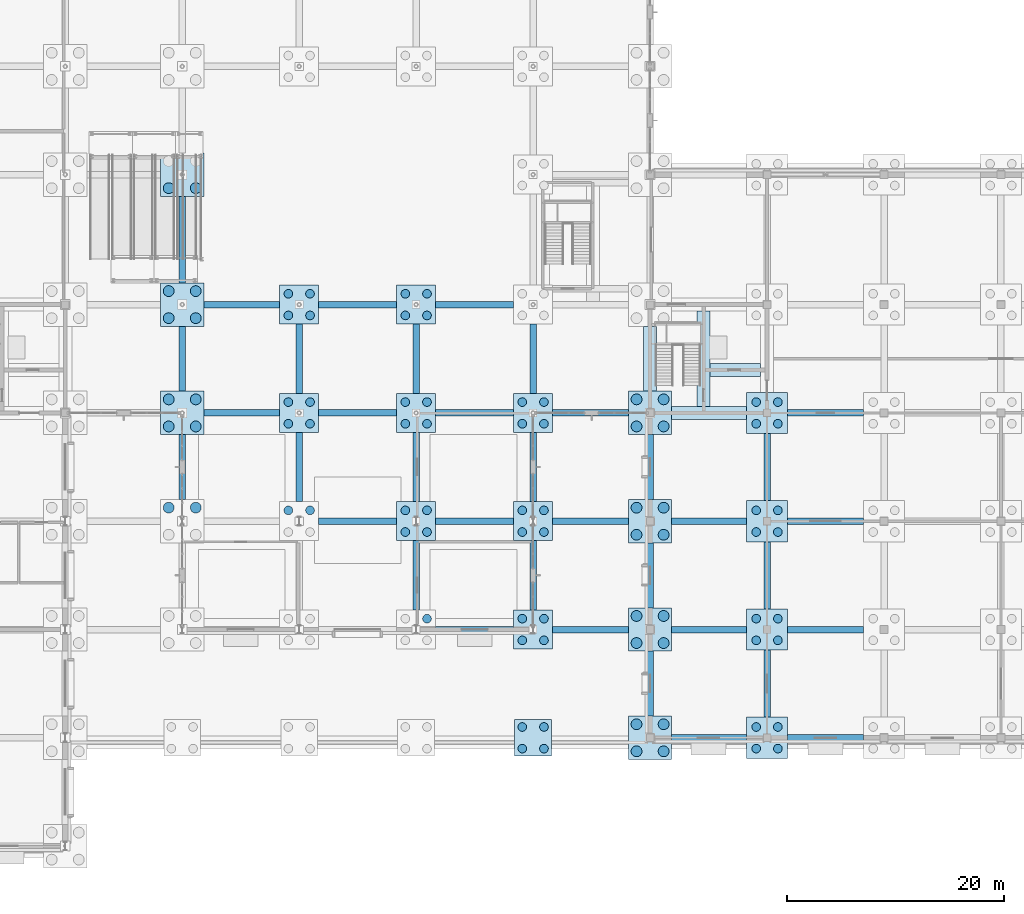
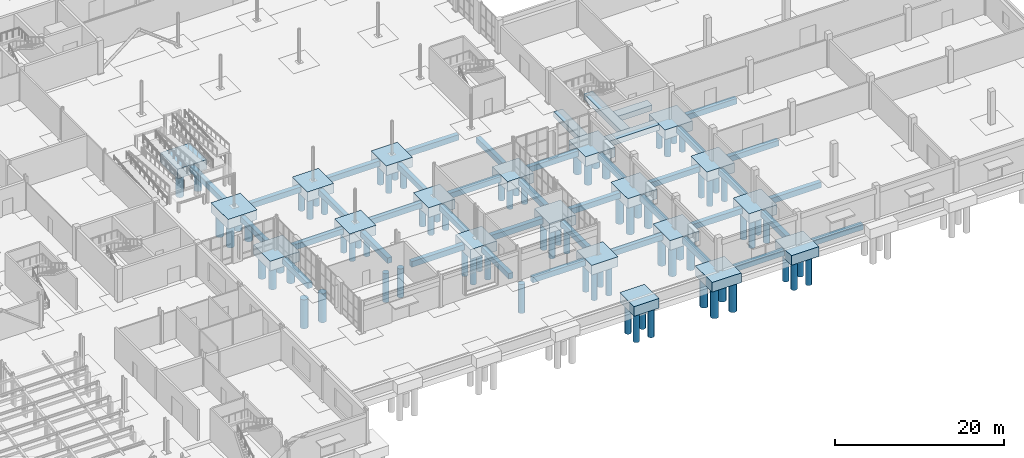
# One storey, part 3 of 73: 83 piles, 60 footings.
"""IFC4 building model written with IfcOpenShell, lengths in metres."""

from ifc_helpers import new_model, si_unit, direction, frame, origin, origin_2d, place, context, subcontext, project, spatial, rectangle, circle, extrude, material, material_profile, profile_set, type_object, element, save


model = new_model("IFC4")

# Units and contexts
model_context = context("Model", 3, precision=1e-05, world=origin(), true_north=direction((0.0, 1.0)))
body_context = subcontext(model_context, "Body", "Model", "MODEL_VIEW")
ifc_project = project(units=[si_unit("LENGTHUNIT", "METRE"), si_unit("AREAUNIT", "SQUARE_METRE"), si_unit("VOLUMEUNIT", "CUBIC_METRE"), si_unit("PLANEANGLEUNIT", "RADIAN"), si_unit("MASSUNIT", "GRAM", prefix="KILO")], contexts=[model_context])

# Site, building, storey
site_placement = place(None, origin())
site = spatial("IfcSite", under=ifc_project, at=site_placement, CompositionType="ELEMENT")
building_placement = place(site_placement, origin())
building = spatial("IfcBuilding", under=site, at=building_placement, Name="Tasgan Crest Museum", CompositionType="ELEMENT")
storey_placement = place(building_placement, origin())
storey = spatial("IfcBuildingStorey", under=building, at=storey_placement, Name="L00", CompositionType="ELEMENT", Elevation=0.0)

# Footings
ifc_material_1 = material(Name="Concrete C35/45", Category="concrete")
footing_type_1 = type_object("IfcFootingType", Name="FT-PC4-3400", PredefinedType="PILE_CAP", material=ifc_material_1)
footing_1_placement = place(storey_placement, frame((97.199951171875, 10.0, -1.39990234375), z_axis=(0.0, 0.0, 1.0), x_axis=(1.0, 0.0, 0.0)))
element("IfcFooting", 1, at=footing_1_placement, inside=storey, type_object=footing_type_1, Name="Forecourt pile cap 10/B", PredefinedType="PILE_CAP", context=body_context, shape_type="SweptSolid", body=[
    extrude(rectangle(XDim=3.39990234375, YDim=3.39990234375, at=origin_2d()), origin(), (0.0, 0.0, 1.0), 1.39990234375),
])
ifc_material_2 = material(Name="Concrete C35/45", Category="concrete")
footing_type_2 = type_object("IfcFootingType", Name="FT-PC4-3600", PredefinedType="PILE_CAP", material=ifc_material_2)
for number, where, z_axis, x_axis, name in (
    (2, (75.60009765625, 40.0, -1.39990234375), (0.0, 0.0, 1.0), (1.0, 0.0, 0.0), "Pile cap 8/E"),
    (3, (75.60009765625, 50.0, -1.39990234375), (0.0, 0.0, 1.0), (1.0, 0.0, 0.0), "Pile cap 8/F"),
    (4, (86.39990234375, 30.0, -1.39990234375), (0.0, 0.0, 1.0), (1.0, 0.0, 0.0), "Pile cap 9/D"),
    (5, (86.39990234375, 40.0, -1.39990234375), (0.0, 0.0, 1.0), (1.0, 0.0, 0.0), "Pile cap 9/E"),
    (6, (86.39990234375, 50.0, -1.39990234375), (0.0, 0.0, 1.0), (1.0, 0.0, 0.0), "Pile cap 9/F"),
    (7, (97.199951171875, 20.0, -1.39990234375), (0.0, 0.0, 1.0), (1.0, 0.0, 0.0), "Pile cap 10/C"),
    (8, (97.199951171875, 30.0, -1.39990234375), (0.0, 0.0, 1.0), (1.0, 0.0, 0.0), "Pile cap 10/D"),
    (9, (97.199951171875, 40.0, -1.39990234375), (0.0, 0.0, 1.0), (1.0, 0.0, 0.0), "Pile cap 10/E"),
):
    element("IfcFooting", number, at=place(storey_placement, frame(where, z_axis=z_axis, x_axis=x_axis)), inside=storey, type_object=footing_type_2, Name=name, PredefinedType="PILE_CAP", context=body_context, shape_type="SweptSolid", body=[
        extrude(rectangle(XDim=3.60009765625, YDim=3.60009765625, at=origin_2d()), origin(), (0.0, 0.0, 1.0), 1.39990234375),
    ])
ifc_material_3 = material(Name="Concrete C35/45", Category="concrete")
footing_type_3 = type_object("IfcFootingType", Name="FT-PC4-3800", PredefinedType="PILE_CAP", material=ifc_material_3)
for number, where, z_axis, x_axis, name in (
    (10, (118.800048828125, 10.0, -1.39990234375), (0.0, 0.0, 1.0), (1.0, 0.0, 0.0), "Pile cap 12/B"),
    (11, (118.800048828125, 20.0, -1.39990234375), (0.0, 0.0, 1.0), (1.0, 0.0, 0.0), "Pile cap 12/C"),
    (12, (118.800048828125, 30.0, -1.39990234375), (0.0, 0.0, 1.0), (1.0, 0.0, 0.0), "Pile cap 12/D"),
    (13, (118.800048828125, 40.0, -1.39990234375), (0.0, 0.0, 1.0), (1.0, 0.0, 0.0), "Pile cap 12/E"),
):
    element("IfcFooting", number, at=place(storey_placement, frame(where, z_axis=z_axis, x_axis=x_axis)), inside=storey, type_object=footing_type_3, Name=name, PredefinedType="PILE_CAP", context=body_context, shape_type="SweptSolid", body=[
        extrude(rectangle(XDim=3.800048828125, YDim=3.800048828125, at=origin_2d()), origin(), (0.0, 0.0, 1.0), 1.39990234375),
    ])
ifc_material_4 = material(Name="Concrete C35/45", Category="concrete")
footing_type_4 = type_object("IfcFootingType", Name="FT-PC4-4000", PredefinedType="PILE_CAP", material=ifc_material_4)
for number, where, z_axis, x_axis, name in (
    (14, (64.800048828125, 40.0, -1.39990234375), (0.0, 0.0, 1.0), (1.0, 0.0, 0.0), "Pile cap 7/E"),
    (15, (64.800048828125, 50.0, -1.39990234375), (0.0, 0.0, 1.0), (1.0, 0.0, 0.0), "Pile cap 7/F"),
    (16, (64.800048828125, 62.0, -1.39990234375), (0.0, 0.0, 1.0), (1.0, 0.0, 0.0), "Pile cap 7/G"),
    (17, (108.0, 10.0, -1.39990234375), (0.0, 0.0, 1.0), (1.0, 0.0, 0.0), "Pile cap 11/B"),
    (18, (108.0, 20.0, -1.39990234375), (0.0, 0.0, 1.0), (1.0, 0.0, 0.0), "Pile cap 11/C"),
    (19, (108.0, 30.0, -1.39990234375), (0.0, 0.0, 1.0), (1.0, 0.0, 0.0), "Pile cap 11/D"),
    (20, (108.0, 40.0, -1.39990234375), (0.0, 0.0, 1.0), (1.0, 0.0, 0.0), "Pile cap 11/E"),
):
    element("IfcFooting", number, at=place(storey_placement, frame(where, z_axis=z_axis, x_axis=x_axis)), inside=storey, type_object=footing_type_4, Name=name, PredefinedType="PILE_CAP", context=body_context, shape_type="SweptSolid", body=[
        extrude(rectangle(XDim=4.0, YDim=4.0, at=origin_2d()), origin(), (0.0, 0.0, 1.0), 1.39990234375),
    ])
ifc_material_5 = material(Name="Concrete C35/45", Category="concrete")
ifc_material_profile_1 = material_profile(ifc_material_5, rectangle(XDim=1.199951171875, YDim=0.800048828125, at=origin_2d()), Name="SF 1200x800")
ifc_profile_set_1 = profile_set([ifc_material_profile_1], Name="Concrete C35/45")
footing_type_5 = type_object("IfcFootingType", Name="FT-SF-1200X800", PredefinedType="STRIP_FOOTING", material=ifc_profile_set_1)
footing_2_placement = place(storey_placement, frame((112.949951171875, 40.60009765625, -0.39990234375), z_axis=(0.0, 1.0, 0.0), x_axis=(-1.0, 0.0, 0.0)))
element("IfcFooting", 21, at=footing_2_placement, inside=storey, type_object=footing_type_5, Name="East Conservation Core dividing strip footing", PredefinedType="STRIP_FOOTING", context=body_context, shape_type="SweptSolid", body=[
    extrude(rectangle(XDim=1.199951171875, YDim=0.800048828125, at=origin_2d()), origin(), (0.0, 0.0, 1.0), 8.7998046875),
])
footing_3_placement = place(storey_placement, frame((113.550048828125, 43.949951171875, -0.39990234375), z_axis=(1.0, 0.0, 0.0), x_axis=(0.0, 1.0, 0.0)))
element("IfcFooting", 22, at=footing_3_placement, inside=storey, type_object=footing_type_5, Name="East Conservation Core shaft strip footing", PredefinedType="STRIP_FOOTING", context=body_context, shape_type="SweptSolid", body=[
    extrude(rectangle(XDim=1.199951171875, YDim=0.800048828125, at=origin_2d()), origin(), (0.0, 0.0, 1.0), 4.64990234375),
])
footing_4_placement = place(storey_placement, frame((110.0, 40.0, -0.39990234375), z_axis=(1.0, 0.0, 0.0), x_axis=(0.0, 1.0, 0.0)))
element("IfcFooting", 23, at=footing_4_placement, inside=storey, type_object=footing_type_5, Name="East Conservation Core S strip footing", PredefinedType="STRIP_FOOTING", context=body_context, shape_type="SweptSolid", body=[
    extrude(rectangle(XDim=1.199951171875, YDim=0.800048828125, at=origin_2d()), origin(), (0.0, 0.0, 1.0), 6.89990234375),
])
footing_5_placement = place(storey_placement, frame((108.0, 42.0, -0.39990234375), z_axis=(0.0, 1.0, 0.0), x_axis=(-1.0, 0.0, 0.0)))
element("IfcFooting", 24, at=footing_5_placement, inside=storey, type_object=footing_type_5, Name="East Conservation Core W strip footing", PredefinedType="STRIP_FOOTING", context=body_context, shape_type="SweptSolid", body=[
    extrude(rectangle(XDim=1.199951171875, YDim=0.800048828125, at=origin_2d()), origin(), (0.0, 0.0, 1.0), 6.0),
])
ifc_material_6 = material(Name="Concrete C35/45", Category="concrete")
ifc_material_profile_2 = material_profile(ifc_material_6, rectangle(XDim=0.60009765625, YDim=0.800048828125, at=origin_2d()), Name="TB 600x800")
ifc_profile_set_2 = profile_set([ifc_material_profile_2], Name="Concrete C35/45")
footing_type_6 = type_object("IfcFootingType", Name="FT-TB-600X800", PredefinedType="FOOTING_BEAM", material=ifc_profile_set_2)
footing_6_placement = place(storey_placement, frame((110.0, 10.0, -0.550048828125), z_axis=(1.0, 0.0, 0.0), x_axis=(0.0, 1.0, 0.0)))
element("IfcFooting", 25, at=footing_6_placement, inside=storey, type_object=footing_type_6, Name="Ground tie beam B 108.0-118.8", PredefinedType="FOOTING_BEAM", context=body_context, shape_type="SweptSolid", body=[
    extrude(rectangle(XDim=0.60009765625, YDim=0.800048828125, at=origin_2d()), origin(), (0.0, 0.0, 1.0), 6.89990234375),
])
footing_7_placement = place(storey_placement, frame((120.699951171875, 10.0, -0.550048828125), z_axis=(1.0, 0.0, 0.0), x_axis=(0.0, 1.0, 0.0)))
element("IfcFooting", 26, at=footing_7_placement, inside=storey, type_object=footing_type_6, Name="Ground tie beam B 118.8-129.6", PredefinedType="FOOTING_BEAM", context=body_context, shape_type="SweptSolid", body=[
    extrude(rectangle(XDim=0.60009765625, YDim=0.800048828125, at=origin_2d()), origin(), (0.0, 0.0, 1.0), 7.0),
])
footing_8_placement = place(storey_placement, frame((88.199951171875, 20.0, -0.550048828125), z_axis=(1.0, 0.0, 0.0), x_axis=(0.0, 1.0, 0.0)))
element("IfcFooting", 27, at=footing_8_placement, inside=storey, type_object=footing_type_6, Name="Ground tie beam C 86.4-97.2", PredefinedType="FOOTING_BEAM", context=body_context, shape_type="SweptSolid", body=[
    extrude(rectangle(XDim=0.60009765625, YDim=0.800048828125, at=origin_2d()), origin(), (0.0, 0.0, 1.0), 7.199951171875),
])
footing_9_placement = place(storey_placement, frame((99.0, 20.0, -0.550048828125), z_axis=(1.0, 0.0, 0.0), x_axis=(0.0, 1.0, 0.0)))
element("IfcFooting", 28, at=footing_9_placement, inside=storey, type_object=footing_type_6, Name="Ground tie beam C 97.2-108.0", PredefinedType="FOOTING_BEAM", context=body_context, shape_type="SweptSolid", body=[
    extrude(rectangle(XDim=0.60009765625, YDim=0.800048828125, at=origin_2d()), origin(), (0.0, 0.0, 1.0), 7.0),
])
footing_10_placement = place(storey_placement, frame((110.0, 20.0, -0.550048828125), z_axis=(1.0, 0.0, 0.0), x_axis=(0.0, 1.0, 0.0)))
element("IfcFooting", 29, at=footing_10_placement, inside=storey, type_object=footing_type_6, Name="Ground tie beam C 108.0-118.8", PredefinedType="FOOTING_BEAM", context=body_context, shape_type="SweptSolid", body=[
    extrude(rectangle(XDim=0.60009765625, YDim=0.800048828125, at=origin_2d()), origin(), (0.0, 0.0, 1.0), 6.89990234375),
])
footing_11_placement = place(storey_placement, frame((120.699951171875, 20.0, -0.550048828125), z_axis=(1.0, 0.0, 0.0), x_axis=(0.0, 1.0, 0.0)))
element("IfcFooting", 30, at=footing_11_placement, inside=storey, type_object=footing_type_6, Name="Ground tie beam C 118.8-129.6", PredefinedType="FOOTING_BEAM", context=body_context, shape_type="SweptSolid", body=[
    extrude(rectangle(XDim=0.60009765625, YDim=0.800048828125, at=origin_2d()), origin(), (0.0, 0.0, 1.0), 7.0),
])
footing_12_placement = place(storey_placement, frame((77.39990234375, 30.0, -0.550048828125), z_axis=(1.0, 0.0, 0.0), x_axis=(0.0, 1.0, 0.0)))
element("IfcFooting", 31, at=footing_12_placement, inside=storey, type_object=footing_type_6, Name="Ground tie beam D 75.6-86.4", PredefinedType="FOOTING_BEAM", context=body_context, shape_type="SweptSolid", body=[
    extrude(rectangle(XDim=0.60009765625, YDim=0.800048828125, at=origin_2d()), origin(), (0.0, 0.0, 1.0), 7.2001953125),
])
footing_13_placement = place(storey_placement, frame((88.199951171875, 30.0, -0.550048828125), z_axis=(1.0, 0.0, 0.0), x_axis=(0.0, 1.0, 0.0)))
element("IfcFooting", 32, at=footing_13_placement, inside=storey, type_object=footing_type_6, Name="Ground tie beam D 86.4-97.2", PredefinedType="FOOTING_BEAM", context=body_context, shape_type="SweptSolid", body=[
    extrude(rectangle(XDim=0.60009765625, YDim=0.800048828125, at=origin_2d()), origin(), (0.0, 0.0, 1.0), 7.199951171875),
])
footing_14_placement = place(storey_placement, frame((99.0, 30.0, -0.550048828125), z_axis=(1.0, 0.0, 0.0), x_axis=(0.0, 1.0, 0.0)))
element("IfcFooting", 33, at=footing_14_placement, inside=storey, type_object=footing_type_6, Name="Ground tie beam D 97.2-108.0", PredefinedType="FOOTING_BEAM", context=body_context, shape_type="SweptSolid", body=[
    extrude(rectangle(XDim=0.60009765625, YDim=0.800048828125, at=origin_2d()), origin(), (0.0, 0.0, 1.0), 7.0),
])
footing_15_placement = place(storey_placement, frame((110.0, 30.0, -0.550048828125), z_axis=(1.0, 0.0, 0.0), x_axis=(0.0, 1.0, 0.0)))
element("IfcFooting", 34, at=footing_15_placement, inside=storey, type_object=footing_type_6, Name="Ground tie beam D 108.0-118.8", PredefinedType="FOOTING_BEAM", context=body_context, shape_type="SweptSolid", body=[
    extrude(rectangle(XDim=0.60009765625, YDim=0.800048828125, at=origin_2d()), origin(), (0.0, 0.0, 1.0), 6.89990234375),
])
for number, where, z_axis, x_axis, name in (
    (35, (120.699951171875, 30.0, -0.550048828125), (1.0, 0.0, 0.0), (0.0, 1.0, 0.0), "Ground tie beam D 118.8-129.6"),
    (36, (66.800048828125, 40.0, -0.550048828125), (1.0, 0.0, 0.0), (0.0, 1.0, 0.0), "Ground tie beam E 64.8-75.6"),
):
    element("IfcFooting", number, at=place(storey_placement, frame(where, z_axis=z_axis, x_axis=x_axis)), inside=storey, type_object=footing_type_6, Name=name, PredefinedType="FOOTING_BEAM", context=body_context, shape_type="SweptSolid", body=[
        extrude(rectangle(XDim=0.60009765625, YDim=0.800048828125, at=origin_2d()), origin(), (0.0, 0.0, 1.0), 7.0),
    ])
footing_16_placement = place(storey_placement, frame((77.39990234375, 40.0, -0.550048828125), z_axis=(1.0, 0.0, 0.0), x_axis=(0.0, 1.0, 0.0)))
element("IfcFooting", 37, at=footing_16_placement, inside=storey, type_object=footing_type_6, Name="Ground tie beam E 75.6-86.4", PredefinedType="FOOTING_BEAM", context=body_context, shape_type="SweptSolid", body=[
    extrude(rectangle(XDim=0.60009765625, YDim=0.800048828125, at=origin_2d()), origin(), (0.0, 0.0, 1.0), 7.2001953125),
])
footing_17_placement = place(storey_placement, frame((88.199951171875, 40.0, -0.550048828125), z_axis=(1.0, 0.0, 0.0), x_axis=(0.0, 1.0, 0.0)))
element("IfcFooting", 38, at=footing_17_placement, inside=storey, type_object=footing_type_6, Name="Ground tie beam E 86.4-97.2", PredefinedType="FOOTING_BEAM", context=body_context, shape_type="SweptSolid", body=[
    extrude(rectangle(XDim=0.60009765625, YDim=0.800048828125, at=origin_2d()), origin(), (0.0, 0.0, 1.0), 7.199951171875),
])
for number, where, z_axis, x_axis, name in (
    (39, (99.0, 40.0, -0.550048828125), (1.0, 0.0, 0.0), (0.0, 1.0, 0.0), "Ground tie beam E 97.2-108.0"),
    (40, (120.699951171875, 40.0, -0.550048828125), (1.0, 0.0, 0.0), (0.0, 1.0, 0.0), "Ground tie beam E 118.8-129.6"),
    (41, (66.800048828125, 50.0, -0.550048828125), (1.0, 0.0, 0.0), (0.0, 1.0, 0.0), "Ground tie beam F 64.8-75.6"),
):
    element("IfcFooting", number, at=place(storey_placement, frame(where, z_axis=z_axis, x_axis=x_axis)), inside=storey, type_object=footing_type_6, Name=name, PredefinedType="FOOTING_BEAM", context=body_context, shape_type="SweptSolid", body=[
        extrude(rectangle(XDim=0.60009765625, YDim=0.800048828125, at=origin_2d()), origin(), (0.0, 0.0, 1.0), 7.0),
    ])
footing_18_placement = place(storey_placement, frame((77.39990234375, 50.0, -0.550048828125), z_axis=(1.0, 0.0, 0.0), x_axis=(0.0, 1.0, 0.0)))
element("IfcFooting", 42, at=footing_18_placement, inside=storey, type_object=footing_type_6, Name="Ground tie beam F 75.6-86.4", PredefinedType="FOOTING_BEAM", context=body_context, shape_type="SweptSolid", body=[
    extrude(rectangle(XDim=0.60009765625, YDim=0.800048828125, at=origin_2d()), origin(), (0.0, 0.0, 1.0), 7.2001953125),
])
footing_19_placement = place(storey_placement, frame((88.199951171875, 50.0, -0.550048828125), z_axis=(1.0, 0.0, 0.0), x_axis=(0.0, 1.0, 0.0)))
element("IfcFooting", 43, at=footing_19_placement, inside=storey, type_object=footing_type_6, Name="Ground tie beam F 86.4-97.2", PredefinedType="FOOTING_BEAM", context=body_context, shape_type="SweptSolid", body=[
    extrude(rectangle(XDim=0.60009765625, YDim=0.800048828125, at=origin_2d()), origin(), (0.0, 0.0, 1.0), 7.199951171875),
])
for number, where, z_axis, x_axis, name in (
    (44, (64.800048828125, 32.0, -0.550048828125), (0.0, 1.0, 0.0), (-1.0, 0.0, 0.0), "Ground tie beam 7 30.0-40.0"),
    (45, (64.800048828125, 42.0, -0.550048828125), (0.0, 1.0, 0.0), (-1.0, 0.0, 0.0), "Ground tie beam 7 40.0-50.0"),
):
    element("IfcFooting", number, at=place(storey_placement, frame(where, z_axis=z_axis, x_axis=x_axis)), inside=storey, type_object=footing_type_6, Name=name, PredefinedType="FOOTING_BEAM", context=body_context, shape_type="SweptSolid", body=[
        extrude(rectangle(XDim=0.60009765625, YDim=0.800048828125, at=origin_2d()), origin(), (0.0, 0.0, 1.0), 6.0),
    ])
footing_20_placement = place(storey_placement, frame((64.800048828125, 52.0, -0.550048828125), z_axis=(0.0, 1.0, 0.0), x_axis=(-1.0, 0.0, 0.0)))
element("IfcFooting", 46, at=footing_20_placement, inside=storey, type_object=footing_type_6, Name="Ground tie beam 7 50.0-62.0", PredefinedType="FOOTING_BEAM", context=body_context, shape_type="SweptSolid", body=[
    extrude(rectangle(XDim=0.60009765625, YDim=0.800048828125, at=origin_2d()), origin(), (0.0, 0.0, 1.0), 8.0),
])
for number, where, z_axis, x_axis, name in (
    (47, (75.60009765625, 31.800048828125, -0.550048828125), (0.0, 1.0, 0.0), (-1.0, 0.0, 0.0), "Ground tie beam 8 30.0-40.0"),
    (48, (75.60009765625, 41.800048828125, -0.550048828125), (0.0, 1.0, 0.0), (-1.0, 0.0, 0.0), "Ground tie beam 8 40.0-50.0"),
    (49, (86.39990234375, 21.800048828125, -0.550048828125), (0.0, 1.0, 0.0), (-1.0, 0.0, 0.0), "Ground tie beam 9 20.0-30.0"),
    (50, (86.39990234375, 31.800048828125, -0.550048828125), (0.0, 1.0, 0.0), (-1.0, 0.0, 0.0), "Ground tie beam 9 30.0-40.0"),
    (51, (86.39990234375, 41.800048828125, -0.550048828125), (0.0, 1.0, 0.0), (-1.0, 0.0, 0.0), "Ground tie beam 9 40.0-50.0"),
    (52, (97.199951171875, 21.800048828125, -0.550048828125), (0.0, 1.0, 0.0), (-1.0, 0.0, 0.0), "Ground tie beam 10 20.0-30.0"),
    (53, (97.199951171875, 31.800048828125, -0.550048828125), (0.0, 1.0, 0.0), (-1.0, 0.0, 0.0), "Ground tie beam 10 30.0-40.0"),
    (54, (97.199951171875, 41.800048828125, -0.550048828125), (0.0, 1.0, 0.0), (-1.0, 0.0, 0.0), "Ground tie beam 10 40.0-50.0"),
):
    element("IfcFooting", number, at=place(storey_placement, frame(where, z_axis=z_axis, x_axis=x_axis)), inside=storey, type_object=footing_type_6, Name=name, PredefinedType="FOOTING_BEAM", context=body_context, shape_type="SweptSolid", body=[
        extrude(rectangle(XDim=0.60009765625, YDim=0.800048828125, at=origin_2d()), origin(), (0.0, 0.0, 1.0), 6.39990234375),
    ])
for number, where, z_axis, x_axis, name in (
    (55, (108.0, 12.0, -0.550048828125), (0.0, 1.0, 0.0), (-1.0, 0.0, 0.0), "Ground tie beam 11 10.0-20.0"),
    (56, (108.0, 22.0, -0.550048828125), (0.0, 1.0, 0.0), (-1.0, 0.0, 0.0), "Ground tie beam 11 20.0-30.0"),
    (57, (108.0, 32.0, -0.550048828125), (0.0, 1.0, 0.0), (-1.0, 0.0, 0.0), "Ground tie beam 11 30.0-40.0"),
):
    element("IfcFooting", number, at=place(storey_placement, frame(where, z_axis=z_axis, x_axis=x_axis)), inside=storey, type_object=footing_type_6, Name=name, PredefinedType="FOOTING_BEAM", context=body_context, shape_type="SweptSolid", body=[
        extrude(rectangle(XDim=0.60009765625, YDim=0.800048828125, at=origin_2d()), origin(), (0.0, 0.0, 1.0), 6.0),
    ])
for number, where, z_axis, x_axis, name in (
    (58, (118.800048828125, 11.89990234375, -0.550048828125), (0.0, 1.0, 0.0), (-1.0, 0.0, 0.0), "Ground tie beam 12 10.0-20.0"),
    (59, (118.800048828125, 21.89990234375, -0.550048828125), (0.0, 1.0, 0.0), (-1.0, 0.0, 0.0), "Ground tie beam 12 20.0-30.0"),
    (60, (118.800048828125, 31.89990234375, -0.550048828125), (0.0, 1.0, 0.0), (-1.0, 0.0, 0.0), "Ground tie beam 12 30.0-40.0"),
):
    element("IfcFooting", number, at=place(storey_placement, frame(where, z_axis=z_axis, x_axis=x_axis)), inside=storey, type_object=footing_type_6, Name=name, PredefinedType="FOOTING_BEAM", context=body_context, shape_type="SweptSolid", body=[
        extrude(rectangle(XDim=0.60009765625, YDim=0.800048828125, at=origin_2d()), origin(), (0.0, 0.0, 1.0), 6.2001953125),
    ])

# Piles
ifc_material_7 = material(Name="Concrete C35/45", Category="concrete")
ifc_material_profile_3 = material_profile(ifc_material_7, circle(Radius=0.5, at=origin_2d()), Name="PILE D1000")
ifc_profile_set_3 = profile_set([ifc_material_profile_3], Name="Concrete C35/45")
pile_type_1 = type_object("IfcPileType", Name="PILE-B1000", PredefinedType="BORED", material=ifc_profile_set_3)
for number, where, z_axis, x_axis, name in (
    (61, (63.550048828125, 31.25, -1.39990234375), (0.0, 0.0, -1.0), (1.0, 0.0, 0.0), "Bored pile 7/D-P3"),
    (62, (66.050048828125, 31.25, -1.39990234375), (0.0, 0.0, -1.0), (1.0, 0.0, 0.0), "Bored pile 7/D-P4"),
):
    element("IfcPile", number, at=place(storey_placement, frame(where, z_axis=z_axis, x_axis=x_axis)), inside=storey, type_object=pile_type_1, Name=name, PredefinedType="BORED", context=body_context, shape_type="SweptSolid", body=[
        extrude(circle(Radius=0.5, at=origin_2d()), origin(), (0.0, 0.0, 1.0), 4.199951171875),
    ])
for number, where, z_axis, x_axis, name in (
    (63, (63.550048828125, 38.75, -1.39990234375), (0.0, 0.0, -1.0), (1.0, 0.0, 0.0), "Bored pile 7/E-P1"),
    (64, (66.050048828125, 38.75, -1.39990234375), (0.0, 0.0, -1.0), (1.0, 0.0, 0.0), "Bored pile 7/E-P2"),
    (65, (63.550048828125, 41.25, -1.39990234375), (0.0, 0.0, -1.0), (1.0, 0.0, 0.0), "Bored pile 7/E-P3"),
    (66, (66.050048828125, 41.25, -1.39990234375), (0.0, 0.0, -1.0), (1.0, 0.0, 0.0), "Bored pile 7/E-P4"),
    (67, (63.550048828125, 48.75, -1.39990234375), (0.0, 0.0, -1.0), (1.0, 0.0, 0.0), "Bored pile 7/F-P1"),
    (68, (66.050048828125, 48.75, -1.39990234375), (0.0, 0.0, -1.0), (1.0, 0.0, 0.0), "Bored pile 7/F-P2"),
    (69, (63.550048828125, 51.25, -1.39990234375), (0.0, 0.0, -1.0), (1.0, 0.0, 0.0), "Bored pile 7/F-P3"),
    (70, (66.050048828125, 51.25, -1.39990234375), (0.0, 0.0, -1.0), (1.0, 0.0, 0.0), "Bored pile 7/F-P4"),
    (71, (63.550048828125, 60.75, -1.39990234375), (0.0, 0.0, -1.0), (1.0, 0.0, 0.0), "Bored pile 7/G-P1"),
    (72, (66.050048828125, 60.75, -1.39990234375), (0.0, 0.0, -1.0), (1.0, 0.0, 0.0), "Bored pile 7/G-P2"),
):
    element("IfcPile", number, at=place(storey_placement, frame(where, z_axis=z_axis, x_axis=x_axis)), inside=storey, type_object=pile_type_1, Name=name, PredefinedType="BORED", context=body_context, shape_type="SweptSolid", body=[
        extrude(circle(Radius=0.5, at=origin_2d()), origin(), (0.0, 0.0, 1.0), 3.10009765625),
    ])
for number, where, z_axis, x_axis, name in (
    (73, (106.75, 8.75, -1.39990234375), (0.0, 0.0, -1.0), (1.0, 0.0, 0.0), "Bored pile 11/B-P1"),
    (74, (109.25, 8.75, -1.39990234375), (0.0, 0.0, -1.0), (1.0, 0.0, 0.0), "Bored pile 11/B-P2"),
    (75, (106.75, 11.25, -1.39990234375), (0.0, 0.0, -1.0), (1.0, 0.0, 0.0), "Bored pile 11/B-P3"),
    (76, (109.25, 11.25, -1.39990234375), (0.0, 0.0, -1.0), (1.0, 0.0, 0.0), "Bored pile 11/B-P4"),
    (77, (106.75, 18.75, -1.39990234375), (0.0, 0.0, -1.0), (1.0, 0.0, 0.0), "Bored pile 11/C-P1"),
    (78, (109.25, 18.75, -1.39990234375), (0.0, 0.0, -1.0), (1.0, 0.0, 0.0), "Bored pile 11/C-P2"),
    (79, (106.75, 21.25, -1.39990234375), (0.0, 0.0, -1.0), (1.0, 0.0, 0.0), "Bored pile 11/C-P3"),
    (80, (109.25, 21.25, -1.39990234375), (0.0, 0.0, -1.0), (1.0, 0.0, 0.0), "Bored pile 11/C-P4"),
    (81, (106.75, 28.75, -1.39990234375), (0.0, 0.0, -1.0), (1.0, 0.0, 0.0), "Bored pile 11/D-P1"),
    (82, (109.25, 28.75, -1.39990234375), (0.0, 0.0, -1.0), (1.0, 0.0, 0.0), "Bored pile 11/D-P2"),
    (83, (106.75, 31.25, -1.39990234375), (0.0, 0.0, -1.0), (1.0, 0.0, 0.0), "Bored pile 11/D-P3"),
    (84, (109.25, 31.25, -1.39990234375), (0.0, 0.0, -1.0), (1.0, 0.0, 0.0), "Bored pile 11/D-P4"),
):
    element("IfcPile", number, at=place(storey_placement, frame(where, z_axis=z_axis, x_axis=x_axis)), inside=storey, type_object=pile_type_1, Name=name, PredefinedType="BORED", context=body_context, shape_type="SweptSolid", body=[
        extrude(circle(Radius=0.5, at=origin_2d()), origin(), (0.0, 0.0, 1.0), 4.199951171875),
    ])
for number, where, z_axis, x_axis, name in (
    (85, (106.75, 38.75, -1.39990234375), (0.0, 0.0, -1.0), (1.0, 0.0, 0.0), "Bored pile 11/E-P1"),
    (86, (109.25, 38.75, -1.39990234375), (0.0, 0.0, -1.0), (1.0, 0.0, 0.0), "Bored pile 11/E-P2"),
    (87, (106.75, 41.25, -1.39990234375), (0.0, 0.0, -1.0), (1.0, 0.0, 0.0), "Bored pile 11/E-P3"),
    (88, (109.25, 41.25, -1.39990234375), (0.0, 0.0, -1.0), (1.0, 0.0, 0.0), "Bored pile 11/E-P4"),
):
    element("IfcPile", number, at=place(storey_placement, frame(where, z_axis=z_axis, x_axis=x_axis)), inside=storey, type_object=pile_type_1, Name=name, PredefinedType="BORED", context=body_context, shape_type="SweptSolid", body=[
        extrude(circle(Radius=0.5, at=origin_2d()), origin(), (0.0, 0.0, 1.0), 3.10009765625),
    ])
ifc_material_8 = material(Name="Concrete C35/45", Category="concrete")
ifc_material_profile_4 = material_profile(ifc_material_8, circle(Radius=0.39990234375, at=origin_2d()), Name="PILE D800")
ifc_profile_set_4 = profile_set([ifc_material_profile_4], Name="Concrete C35/45")
pile_type_2 = type_object("IfcPileType", Name="PILE-B800", PredefinedType="BORED", material=ifc_profile_set_4)
for number, where, z_axis, x_axis, name in (
    (89, (74.60009765625, 31.0, -1.39990234375), (0.0, 0.0, -1.0), (1.0, 0.0, 0.0), "Bored pile 8/D-P3"),
    (90, (76.60009765625, 31.0, -1.39990234375), (0.0, 0.0, -1.0), (1.0, 0.0, 0.0), "Bored pile 8/D-P4"),
):
    element("IfcPile", number, at=place(storey_placement, frame(where, z_axis=z_axis, x_axis=x_axis)), inside=storey, type_object=pile_type_2, Name=name, PredefinedType="BORED", context=body_context, shape_type="SweptSolid", body=[
        extrude(circle(Radius=0.39990234375, at=origin_2d()), origin(), (0.0, 0.0, 1.0), 4.199951171875),
    ])
for number, where, z_axis, x_axis, name in (
    (91, (74.60009765625, 39.0, -1.39990234375), (0.0, 0.0, -1.0), (1.0, 0.0, 0.0), "Bored pile 8/E-P1"),
    (92, (76.60009765625, 39.0, -1.39990234375), (0.0, 0.0, -1.0), (1.0, 0.0, 0.0), "Bored pile 8/E-P2"),
    (93, (74.60009765625, 41.0, -1.39990234375), (0.0, 0.0, -1.0), (1.0, 0.0, 0.0), "Bored pile 8/E-P3"),
    (94, (76.60009765625, 41.0, -1.39990234375), (0.0, 0.0, -1.0), (1.0, 0.0, 0.0), "Bored pile 8/E-P4"),
    (95, (74.60009765625, 49.0, -1.39990234375), (0.0, 0.0, -1.0), (1.0, 0.0, 0.0), "Bored pile 8/F-P1"),
    (96, (76.60009765625, 49.0, -1.39990234375), (0.0, 0.0, -1.0), (1.0, 0.0, 0.0), "Bored pile 8/F-P2"),
    (97, (74.60009765625, 51.0, -1.39990234375), (0.0, 0.0, -1.0), (1.0, 0.0, 0.0), "Bored pile 8/F-P3"),
    (98, (76.60009765625, 51.0, -1.39990234375), (0.0, 0.0, -1.0), (1.0, 0.0, 0.0), "Bored pile 8/F-P4"),
):
    element("IfcPile", number, at=place(storey_placement, frame(where, z_axis=z_axis, x_axis=x_axis)), inside=storey, type_object=pile_type_2, Name=name, PredefinedType="BORED", context=body_context, shape_type="SweptSolid", body=[
        extrude(circle(Radius=0.39990234375, at=origin_2d()), origin(), (0.0, 0.0, 1.0), 3.10009765625),
    ])
for number, where, z_axis, x_axis, name in (
    (99, (87.39990234375, 21.0, -1.39990234375), (0.0, 0.0, -1.0), (1.0, 0.0, 0.0), "Bored pile 9/C-P4"),
    (100, (85.39990234375, 29.0, -1.39990234375), (0.0, 0.0, -1.0), (1.0, 0.0, 0.0), "Bored pile 9/D-P1"),
    (101, (87.39990234375, 29.0, -1.39990234375), (0.0, 0.0, -1.0), (1.0, 0.0, 0.0), "Bored pile 9/D-P2"),
    (102, (85.39990234375, 31.0, -1.39990234375), (0.0, 0.0, -1.0), (1.0, 0.0, 0.0), "Bored pile 9/D-P3"),
    (103, (87.39990234375, 31.0, -1.39990234375), (0.0, 0.0, -1.0), (1.0, 0.0, 0.0), "Bored pile 9/D-P4"),
):
    element("IfcPile", number, at=place(storey_placement, frame(where, z_axis=z_axis, x_axis=x_axis)), inside=storey, type_object=pile_type_2, Name=name, PredefinedType="BORED", context=body_context, shape_type="SweptSolid", body=[
        extrude(circle(Radius=0.39990234375, at=origin_2d()), origin(), (0.0, 0.0, 1.0), 4.199951171875),
    ])
for number, where, z_axis, x_axis, name in (
    (104, (85.39990234375, 39.0, -1.39990234375), (0.0, 0.0, -1.0), (1.0, 0.0, 0.0), "Bored pile 9/E-P1"),
    (105, (87.39990234375, 39.0, -1.39990234375), (0.0, 0.0, -1.0), (1.0, 0.0, 0.0), "Bored pile 9/E-P2"),
    (106, (85.39990234375, 41.0, -1.39990234375), (0.0, 0.0, -1.0), (1.0, 0.0, 0.0), "Bored pile 9/E-P3"),
    (107, (87.39990234375, 41.0, -1.39990234375), (0.0, 0.0, -1.0), (1.0, 0.0, 0.0), "Bored pile 9/E-P4"),
    (108, (85.39990234375, 49.0, -1.39990234375), (0.0, 0.0, -1.0), (1.0, 0.0, 0.0), "Bored pile 9/F-P1"),
    (109, (87.39990234375, 49.0, -1.39990234375), (0.0, 0.0, -1.0), (1.0, 0.0, 0.0), "Bored pile 9/F-P2"),
    (110, (85.39990234375, 51.0, -1.39990234375), (0.0, 0.0, -1.0), (1.0, 0.0, 0.0), "Bored pile 9/F-P3"),
    (111, (87.39990234375, 51.0, -1.39990234375), (0.0, 0.0, -1.0), (1.0, 0.0, 0.0), "Bored pile 9/F-P4"),
):
    element("IfcPile", number, at=place(storey_placement, frame(where, z_axis=z_axis, x_axis=x_axis)), inside=storey, type_object=pile_type_2, Name=name, PredefinedType="BORED", context=body_context, shape_type="SweptSolid", body=[
        extrude(circle(Radius=0.39990234375, at=origin_2d()), origin(), (0.0, 0.0, 1.0), 3.10009765625),
    ])
for number, where, z_axis, x_axis, name in (
    (112, (96.199951171875, 19.0, -1.39990234375), (0.0, 0.0, -1.0), (1.0, 0.0, 0.0), "Bored pile 10/C-P1"),
    (113, (98.199951171875, 19.0, -1.39990234375), (0.0, 0.0, -1.0), (1.0, 0.0, 0.0), "Bored pile 10/C-P2"),
    (114, (96.199951171875, 21.0, -1.39990234375), (0.0, 0.0, -1.0), (1.0, 0.0, 0.0), "Bored pile 10/C-P3"),
    (115, (98.199951171875, 21.0, -1.39990234375), (0.0, 0.0, -1.0), (1.0, 0.0, 0.0), "Bored pile 10/C-P4"),
    (116, (96.199951171875, 29.0, -1.39990234375), (0.0, 0.0, -1.0), (1.0, 0.0, 0.0), "Bored pile 10/D-P1"),
    (117, (98.199951171875, 29.0, -1.39990234375), (0.0, 0.0, -1.0), (1.0, 0.0, 0.0), "Bored pile 10/D-P2"),
    (118, (96.199951171875, 31.0, -1.39990234375), (0.0, 0.0, -1.0), (1.0, 0.0, 0.0), "Bored pile 10/D-P3"),
    (119, (98.199951171875, 31.0, -1.39990234375), (0.0, 0.0, -1.0), (1.0, 0.0, 0.0), "Bored pile 10/D-P4"),
):
    element("IfcPile", number, at=place(storey_placement, frame(where, z_axis=z_axis, x_axis=x_axis)), inside=storey, type_object=pile_type_2, Name=name, PredefinedType="BORED", context=body_context, shape_type="SweptSolid", body=[
        extrude(circle(Radius=0.39990234375, at=origin_2d()), origin(), (0.0, 0.0, 1.0), 4.199951171875),
    ])
for number, where, z_axis, x_axis, name in (
    (120, (96.199951171875, 39.0, -1.39990234375), (0.0, 0.0, -1.0), (1.0, 0.0, 0.0), "Bored pile 10/E-P1"),
    (121, (98.199951171875, 39.0, -1.39990234375), (0.0, 0.0, -1.0), (1.0, 0.0, 0.0), "Bored pile 10/E-P2"),
    (122, (96.199951171875, 41.0, -1.39990234375), (0.0, 0.0, -1.0), (1.0, 0.0, 0.0), "Bored pile 10/E-P3"),
    (123, (98.199951171875, 41.0, -1.39990234375), (0.0, 0.0, -1.0), (1.0, 0.0, 0.0), "Bored pile 10/E-P4"),
):
    element("IfcPile", number, at=place(storey_placement, frame(where, z_axis=z_axis, x_axis=x_axis)), inside=storey, type_object=pile_type_2, Name=name, PredefinedType="BORED", context=body_context, shape_type="SweptSolid", body=[
        extrude(circle(Radius=0.39990234375, at=origin_2d()), origin(), (0.0, 0.0, 1.0), 3.10009765625),
    ])
for number, where, z_axis, x_axis, name in (
    (124, (117.800048828125, 9.0, -1.39990234375), (0.0, 0.0, -1.0), (1.0, 0.0, 0.0), "Bored pile 12/B-P1"),
    (125, (119.800048828125, 9.0, -1.39990234375), (0.0, 0.0, -1.0), (1.0, 0.0, 0.0), "Bored pile 12/B-P2"),
    (126, (117.800048828125, 11.0, -1.39990234375), (0.0, 0.0, -1.0), (1.0, 0.0, 0.0), "Bored pile 12/B-P3"),
    (127, (119.800048828125, 11.0, -1.39990234375), (0.0, 0.0, -1.0), (1.0, 0.0, 0.0), "Bored pile 12/B-P4"),
    (128, (117.800048828125, 19.0, -1.39990234375), (0.0, 0.0, -1.0), (1.0, 0.0, 0.0), "Bored pile 12/C-P1"),
    (129, (119.800048828125, 19.0, -1.39990234375), (0.0, 0.0, -1.0), (1.0, 0.0, 0.0), "Bored pile 12/C-P2"),
    (130, (117.800048828125, 21.0, -1.39990234375), (0.0, 0.0, -1.0), (1.0, 0.0, 0.0), "Bored pile 12/C-P3"),
    (131, (119.800048828125, 21.0, -1.39990234375), (0.0, 0.0, -1.0), (1.0, 0.0, 0.0), "Bored pile 12/C-P4"),
    (132, (117.800048828125, 29.0, -1.39990234375), (0.0, 0.0, -1.0), (1.0, 0.0, 0.0), "Bored pile 12/D-P1"),
    (133, (119.800048828125, 29.0, -1.39990234375), (0.0, 0.0, -1.0), (1.0, 0.0, 0.0), "Bored pile 12/D-P2"),
    (134, (117.800048828125, 31.0, -1.39990234375), (0.0, 0.0, -1.0), (1.0, 0.0, 0.0), "Bored pile 12/D-P3"),
    (135, (119.800048828125, 31.0, -1.39990234375), (0.0, 0.0, -1.0), (1.0, 0.0, 0.0), "Bored pile 12/D-P4"),
):
    element("IfcPile", number, at=place(storey_placement, frame(where, z_axis=z_axis, x_axis=x_axis)), inside=storey, type_object=pile_type_2, Name=name, PredefinedType="BORED", context=body_context, shape_type="SweptSolid", body=[
        extrude(circle(Radius=0.39990234375, at=origin_2d()), origin(), (0.0, 0.0, 1.0), 4.199951171875),
    ])
for number, where, z_axis, x_axis, name in (
    (136, (117.800048828125, 39.0, -1.39990234375), (0.0, 0.0, -1.0), (1.0, 0.0, 0.0), "Bored pile 12/E-P1"),
    (137, (119.800048828125, 39.0, -1.39990234375), (0.0, 0.0, -1.0), (1.0, 0.0, 0.0), "Bored pile 12/E-P2"),
    (138, (117.800048828125, 41.0, -1.39990234375), (0.0, 0.0, -1.0), (1.0, 0.0, 0.0), "Bored pile 12/E-P3"),
    (139, (119.800048828125, 41.0, -1.39990234375), (0.0, 0.0, -1.0), (1.0, 0.0, 0.0), "Bored pile 12/E-P4"),
):
    element("IfcPile", number, at=place(storey_placement, frame(where, z_axis=z_axis, x_axis=x_axis)), inside=storey, type_object=pile_type_2, Name=name, PredefinedType="BORED", context=body_context, shape_type="SweptSolid", body=[
        extrude(circle(Radius=0.39990234375, at=origin_2d()), origin(), (0.0, 0.0, 1.0), 3.10009765625),
    ])
for number, where, z_axis, x_axis, name in (
    (140, (96.199951171875, 9.0, -1.39990234375), (0.0, 0.0, -1.0), (1.0, 0.0, 0.0), "Forecourt pile 10-P1"),
    (141, (98.199951171875, 9.0, -1.39990234375), (0.0, 0.0, -1.0), (1.0, 0.0, 0.0), "Forecourt pile 10-P2"),
    (142, (96.199951171875, 11.0, -1.39990234375), (0.0, 0.0, -1.0), (1.0, 0.0, 0.0), "Forecourt pile 10-P3"),
    (143, (98.199951171875, 11.0, -1.39990234375), (0.0, 0.0, -1.0), (1.0, 0.0, 0.0), "Forecourt pile 10-P4"),
):
    element("IfcPile", number, at=place(storey_placement, frame(where, z_axis=z_axis, x_axis=x_axis)), inside=storey, type_object=pile_type_2, Name=name, PredefinedType="BORED", context=body_context, shape_type="SweptSolid", body=[
        extrude(circle(Radius=0.39990234375, at=origin_2d()), origin(), (0.0, 0.0, 1.0), 4.199951171875),
    ])

save(model, "model.ifc")
